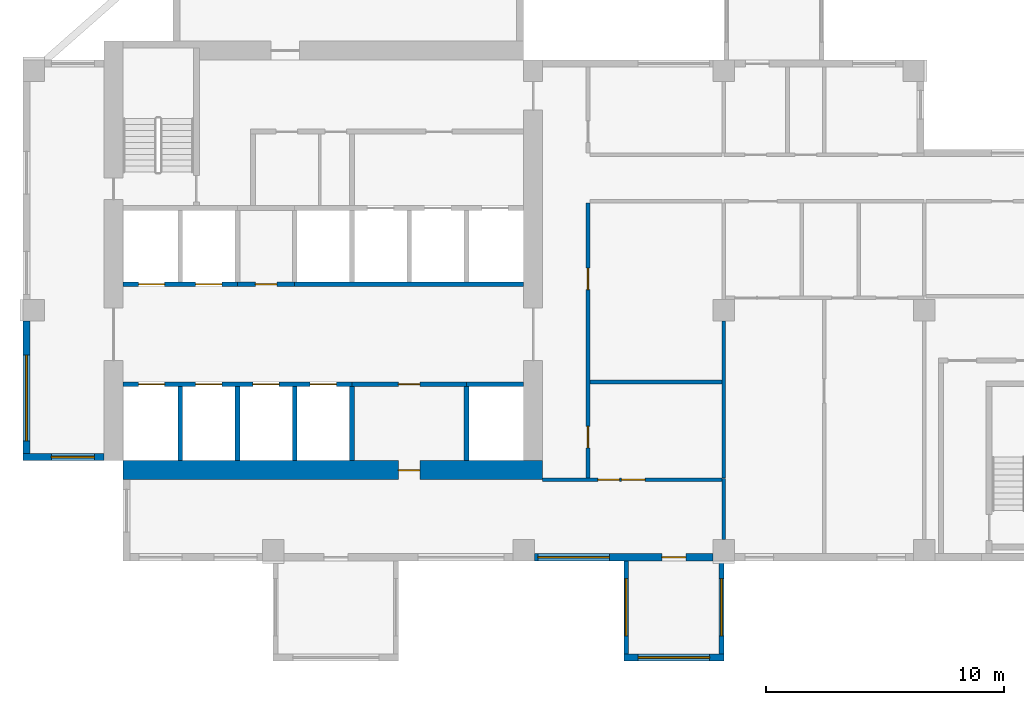
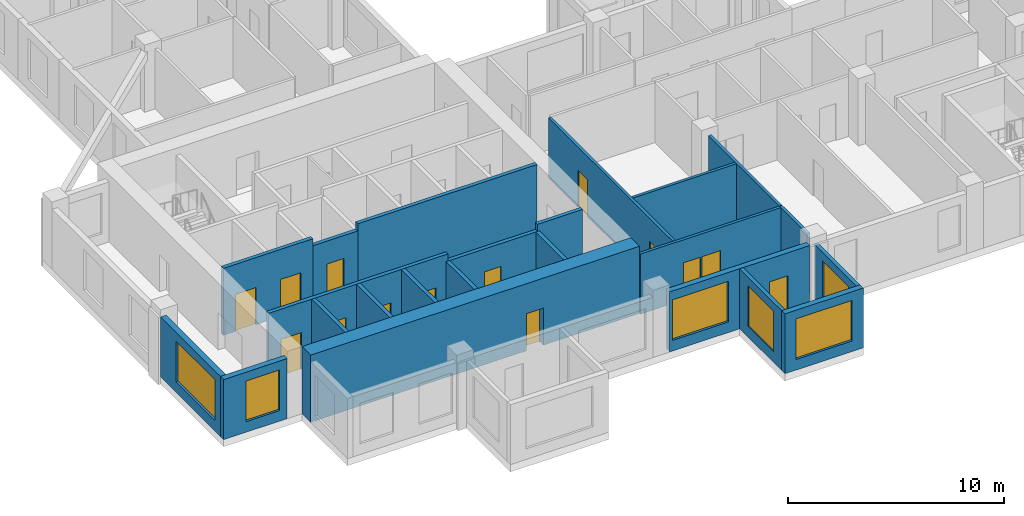
# One storey, part 2 of 12: 23 walls, 14 doors, 6 windows, 20 openings.
"""IFC4 building model written with IfcOpenShell, lengths in metres."""

from ifc_helpers import new_model, si_unit, direction, frame, frame_2d, origin, place, context, subcontext, project, spatial, rectangle, extrude, source, transform, mapped, material, layer, layer_set, type_object, element, fill, save


model = new_model("IFC4")

# Units and contexts
model_context = context("Model", 3, precision=1e-05, world=origin(), true_north=direction((0.0, 1.0)))
body_context = subcontext(model_context, "Body", "Model", "MODEL_VIEW")
ifc_project = project(units=[si_unit("LENGTHUNIT", "METRE"), si_unit("AREAUNIT", "SQUARE_METRE"), si_unit("VOLUMEUNIT", "CUBIC_METRE"), si_unit("PLANEANGLEUNIT", "RADIAN"), si_unit("MASSUNIT", "GRAM", prefix="KILO")], contexts=[model_context])

# Site, building, storey
site_placement = place(None, origin())
site = spatial("IfcSite", under=ifc_project, at=site_placement, CompositionType="ELEMENT")
building_placement = place(site_placement, origin())
building = spatial("IfcBuilding", under=site, at=building_placement, Name="Aurelian Terraces", CompositionType="ELEMENT")
storey_placement = place(building_placement, frame((0.0, 0.0, 181.6)))
storey = spatial("IfcBuildingStorey", under=building, at=storey_placement, Name="L39", CompositionType="ELEMENT", Elevation=181.6)

# Wall, openings, doors
ifc_material_1 = material(Name="Gypsum board on steel studs", Category="steel")
ifc_layer_1 = layer(ifc_material_1, 0.15)
ifc_layer_set_1 = layer_set([ifc_layer_1], Name="Partition 150")
wall_type_1 = type_object("IfcWallType", Name="Partition 150", PredefinedType="PARTITIONING", material=ifc_layer_set_1)
wall_1_placement = place(storey_placement, frame((23.7, 15.0, 0.0), z_axis=(0.0, 0.0, 1.0), x_axis=(0.0, -1.0, 0.0)))
wall_1 = element("IfcWall", 1, at=wall_1_placement, inside=storey, type_object=wall_type_1, Name="Partition", PredefinedType="PARTITIONING", context=body_context, shape_type="SweptSolid", body=[
    extrude(rectangle(XDim=11.525, YDim=0.15, at=frame_2d((5.7625, 0.0))), origin(), (0.0, 0.0, 1.0), 3.4),
])
shared_shape_1 = source(origin(), body_context, "Body", "SweptSolid", [
    extrude(rectangle(XDim=0.9, YDim=2.1, at=frame_2d((0.45, 1.05))), frame((0.0, 0.085, 0.0), z_axis=(0.0, -1.0, 0.0), x_axis=(1.0, 0.0, 0.0)), (0.0, 0.0, 1.0), 0.17),
])
opening_1_placement = place(wall_1_placement, frame((9.3625, 0.0, 0.0)))
opening_1 = element("IfcOpeningElement", 2, at=opening_1_placement, cuts=wall_1, Name="Opening 739001", PredefinedType="OPENING", context=body_context, shape_type="MappedRepresentation", body=[
    mapped(shared_shape_1, transform((0.0, 0.0, 0.0), scale=1.0)),
])
opening_2_placement = place(wall_1_placement, frame((2.725, 0.0, 0.0)))
opening_2 = element("IfcOpeningElement", 3, at=opening_2_placement, cuts=wall_1, Name="Opening 739002", PredefinedType="OPENING", context=body_context, shape_type="MappedRepresentation", body=[
    mapped(shared_shape_1, transform((0.0, 0.0, 0.0), scale=1.0)),
])
ifc_material_2 = material(Name="Timber door leaf", Category="wood")
door_type_1 = type_object("IfcDoorType", Name="Room door 900x2100 right", OperationType="SINGLE_SWING_RIGHT", PredefinedType="DOOR", material=ifc_material_2)
shared_shape_2 = source(origin(), body_context, "Body", "SweptSolid", [
    extrude(rectangle(XDim=0.9, YDim=2.1, at=frame_2d((0.45, 1.05))), frame((0.0, 0.025, 0.0), z_axis=(0.0, -1.0, 0.0), x_axis=(1.0, 0.0, 0.0)), (0.0, 0.0, 1.0), 0.05),
])
door_1_placement = place(opening_1_placement, origin())
door_1 = element("IfcDoor", 4, at=door_1_placement, inside=storey, type_object=door_type_1, Name="Door 739001", OperationType="SINGLE_SWING_RIGHT", OverallHeight=2.1, OverallWidth=0.9, PredefinedType="DOOR", context=body_context, shape_type="MappedRepresentation", body=[
    mapped(shared_shape_2, transform((0.0, 0.0, 0.0), scale=1.0)),
])
fill(opening_1, door_1)
door_type_2 = type_object("IfcDoorType", Name="Room door 900x2100 left", OperationType="SINGLE_SWING_LEFT", PredefinedType="DOOR", material=ifc_material_2)
door_2_placement = place(opening_2_placement, origin())
door_2 = element("IfcDoor", 5, at=door_2_placement, inside=storey, type_object=door_type_2, Name="Door 739002", OperationType="SINGLE_SWING_LEFT", OverallHeight=2.1, OverallWidth=0.9, PredefinedType="DOOR", context=body_context, shape_type="MappedRepresentation", body=[
    mapped(shared_shape_2, transform((0.0, 0.0, 0.0), scale=1.0)),
])
fill(opening_2, door_2)

wall_2_placement = place(storey_placement, frame((21.8, 3.4, 0.0), z_axis=(0.0, 0.0, 1.0), x_axis=(1.0, 0.0, 0.0)))
wall_2 = element("IfcWall", 6, at=wall_2_placement, inside=storey, type_object=wall_type_1, Name="Partition", PredefinedType="PARTITIONING", context=body_context, shape_type="SweptSolid", body=[
    extrude(rectangle(XDim=7.525, YDim=0.15, at=frame_2d((3.7625, 0.0))), origin(), (0.0, 0.0, 1.0), 3.4),
])
shared_shape_3 = source(origin(), body_context, "Body", "SweptSolid", [
    extrude(rectangle(XDim=1.0, YDim=2.1, at=frame_2d((0.5, 1.05))), frame((0.0, 0.085, 0.0), z_axis=(0.0, -1.0, 0.0), x_axis=(1.0, 0.0, 0.0)), (0.0, 0.0, 1.0), 0.17),
])
opening_3_placement = place(wall_2_placement, frame((3.3, 0.0, 0.0)))
opening_3 = element("IfcOpeningElement", 7, at=opening_3_placement, cuts=wall_2, Name="Opening 739004", PredefinedType="OPENING", context=body_context, shape_type="MappedRepresentation", body=[
    mapped(shared_shape_3, transform((0.0, 0.0, 0.0), scale=1.0)),
])
opening_4_placement = place(wall_2_placement, frame((2.312, 0.0, 0.0)))
opening_4 = element("IfcOpeningElement", 8, at=opening_4_placement, cuts=wall_2, Name="Opening 739042", PredefinedType="OPENING", context=body_context, shape_type="MappedRepresentation", body=[
    mapped(shared_shape_1, transform((0.0, 0.0, 0.0), scale=1.0)),
])
door_type_3 = type_object("IfcDoorType", Name="Room door 1000x2100 left", OperationType="SINGLE_SWING_LEFT", PredefinedType="DOOR", material=ifc_material_2)
shared_shape_4 = source(origin(), body_context, "Body", "SweptSolid", [
    extrude(rectangle(XDim=1.0, YDim=2.1, at=frame_2d((0.5, 1.05))), frame((0.0, 0.025, 0.0), z_axis=(0.0, -1.0, 0.0), x_axis=(1.0, 0.0, 0.0)), (0.0, 0.0, 1.0), 0.05),
])
door_3_placement = place(opening_3_placement, origin())
door_3 = element("IfcDoor", 9, at=door_3_placement, inside=storey, type_object=door_type_3, Name="Door 739004", OperationType="SINGLE_SWING_LEFT", OverallHeight=2.1, OverallWidth=1.0, PredefinedType="DOOR", context=body_context, shape_type="MappedRepresentation", body=[
    mapped(shared_shape_4, transform((0.0, 0.0, 0.0), scale=1.0)),
])
fill(opening_3, door_3)
door_4_placement = place(opening_4_placement, origin())
door_4 = element("IfcDoor", 10, at=door_4_placement, inside=storey, type_object=door_type_2, Name="Door 739042", OperationType="SINGLE_SWING_LEFT", OverallHeight=2.1, OverallWidth=0.9, PredefinedType="DOOR", context=body_context, shape_type="MappedRepresentation", body=[
    mapped(shared_shape_2, transform((0.0, 0.0, 0.0), scale=1.0)),
])
fill(opening_4, door_4)

# Wall, opening, door
ifc_material_3 = material(Name="Concrete fc' 70 MPa", Category="concrete")
ifc_layer_2 = layer(ifc_material_3, 0.8)
ifc_layer_set_2 = layer_set([ifc_layer_2], Name="CORE WALL 800 FC70")
wall_type_2 = type_object("IfcWallType", Name="CORE WALL 800 FC70", PredefinedType="SHEAR", material=ifc_layer_set_2)
shared_shape_5 = source(origin(), body_context, "Body", "SweptSolid", [
    extrude(rectangle(XDim=17.6, YDim=0.8, at=frame_2d((8.8, 0.0))), origin(), (0.0, 0.0, 1.0), 3.8),
])
wall_3_placement = place(storey_placement, frame((4.2, 3.8, 0.0), z_axis=(0.0, 0.0, 1.0), x_axis=(1.0, 0.0, 0.0)))
wall_3 = element("IfcWall", 11, at=wall_3_placement, inside=storey, type_object=wall_type_2, Name="Core wall S L39", PredefinedType="SHEAR", context=body_context, shape_type="MappedRepresentation", body=[
    mapped(shared_shape_5, transform((0.0, 0.0, 0.0), scale=1.0)),
])
shared_shape_6 = source(origin(), body_context, "Body", "SweptSolid", [
    extrude(rectangle(XDim=0.9, YDim=2.1, at=frame_2d((0.45, 1.05))), frame((0.0, 0.41, 0.0), z_axis=(0.0, -1.0, 0.0), x_axis=(1.0, 0.0, 0.0)), (0.0, 0.0, 1.0), 0.82),
])
opening_5_placement = place(wall_3_placement, frame((11.55, 0.0, 0.0)))
opening_5 = element("IfcOpeningElement", 12, at=opening_5_placement, cuts=wall_3, Name="Opening 64225", PredefinedType="OPENING", context=body_context, shape_type="MappedRepresentation", body=[
    mapped(shared_shape_6, transform((0.0, 0.0, 0.0), scale=1.0)),
])
ifc_material_4 = material(Name="Steel door leaf", Category="steel")
door_type_4 = type_object("IfcDoorType", Name="Core service door 900x2100", OperationType="SINGLE_SWING_LEFT", PredefinedType="DOOR", material=ifc_material_4)
door_5_placement = place(opening_5_placement, origin())
door_5 = element("IfcDoor", 13, at=door_5_placement, inside=storey, type_object=door_type_4, Name="Core door 64225", OperationType="SINGLE_SWING_LEFT", OverallHeight=2.1, OverallWidth=0.9, PredefinedType="DOOR", context=body_context, shape_type="MappedRepresentation", body=[
    mapped(shared_shape_2, transform((0.0, 0.0, 0.0), scale=1.0)),
])
fill(opening_5, door_5)

# Wall, openings, window, door
ifc_material_5 = material(Name="Terracotta rainscreen cladding", Category="masonry")
ifc_layer_3 = layer(ifc_material_5, 0.3)
ifc_layer_set_3 = layer_set([ifc_layer_3], Name="EW-300")
wall_type_3 = type_object("IfcWallType", Name="EW-300", PredefinedType="STANDARD", material=ifc_layer_set_3)
shared_shape_7 = source(origin(), body_context, "Body", "SweptSolid", [
    extrude(rectangle(XDim=7.5, YDim=0.3, at=frame_2d((3.75, 0.0))), origin(), (0.0, 0.0, 1.0), 3.4),
])
wall_4_placement = place(storey_placement, frame((21.45, 0.15, 0.0), z_axis=(0.0, 0.0, 1.0), x_axis=(1.0, 0.0, 0.0)))
wall_4 = element("IfcWall", 14, at=wall_4_placement, inside=storey, type_object=wall_type_3, Name="External wall L39 F01.3", PredefinedType="STANDARD", context=body_context, shape_type="MappedRepresentation", body=[
    mapped(shared_shape_7, transform((0.0, 0.0, 0.0), scale=1.0)),
])
shared_shape_8 = source(origin(), body_context, "Body", "SweptSolid", [
    extrude(rectangle(XDim=3.0, YDim=2.3, at=frame_2d((1.5, 1.15))), frame((0.0, 0.16, 0.0), z_axis=(0.0, -1.0, 0.0), x_axis=(1.0, 0.0, 0.0)), (0.0, 0.0, 1.0), 0.32),
])
opening_6_placement = place(wall_4_placement, frame((0.15, 0.0, 0.6)))
opening_6 = element("IfcOpeningElement", 15, at=opening_6_placement, cuts=wall_4, Name="Opening W3023", PredefinedType="OPENING", context=body_context, shape_type="MappedRepresentation", body=[
    mapped(shared_shape_8, transform((0.0, 0.0, 0.0), scale=1.0)),
])
shared_shape_9 = source(origin(), body_context, "Body", "SweptSolid", [
    extrude(rectangle(XDim=1.0, YDim=2.1, at=frame_2d((0.5, 1.05))), frame((0.0, 0.16, 0.0), z_axis=(0.0, -1.0, 0.0), x_axis=(1.0, 0.0, 0.0)), (0.0, 0.0, 1.0), 0.32),
])
opening_7_placement = place(wall_4_placement, frame((5.35, 0.0, 0.0)))
opening_7 = element("IfcOpeningElement", 16, at=opening_7_placement, cuts=wall_4, Name="Opening 839005", PredefinedType="OPENING", context=body_context, shape_type="MappedRepresentation", body=[
    mapped(shared_shape_9, transform((0.0, 0.0, 0.0), scale=1.0)),
])
ifc_material_6 = material(Name="Clear glazing", Category="glass")
window_type_1 = type_object("IfcWindowType", Name="W-3000x2300", PartitioningType="SINGLE_PANEL", PredefinedType="WINDOW", material=ifc_material_6)
shared_shape_10 = source(origin(), body_context, "Body", "SweptSolid", [
    extrude(rectangle(XDim=3.0, YDim=2.3, at=frame_2d((1.5, 1.15))), frame((0.0, 0.03, 0.0), z_axis=(0.0, -1.0, 0.0), x_axis=(1.0, 0.0, 0.0)), (0.0, 0.0, 1.0), 0.06),
])
window_1_placement = place(opening_6_placement, origin())
window_1 = element("IfcWindow", 17, at=window_1_placement, inside=storey, type_object=window_type_1, Name="Window L39 L39-F01-03-0", OverallHeight=2.3, OverallWidth=3.0, PartitioningType="SINGLE_PANEL", PredefinedType="WINDOW", context=body_context, shape_type="MappedRepresentation", body=[
    mapped(shared_shape_10, transform((0.0, 0.0, 0.0), scale=1.0)),
])
fill(opening_6, window_1)
door_6_placement = place(opening_7_placement, origin())
door_6 = element("IfcDoor", 18, at=door_6_placement, inside=storey, type_object=door_type_3, Name="Door 839005", OperationType="SINGLE_SWING_LEFT", OverallHeight=2.1, OverallWidth=1.0, PredefinedType="DOOR", context=body_context, shape_type="MappedRepresentation", body=[
    mapped(shared_shape_4, transform((0.0, 0.0, 0.0), scale=1.0)),
])
fill(opening_7, door_6)

# Wall, opening, window
shared_shape_11 = source(origin(), body_context, "Body", "SweptSolid", [
    extrude(rectangle(XDim=3.4, YDim=0.3, at=frame_2d((1.7, 0.0))), origin(), (0.0, 0.0, 1.0), 3.4),
])
wall_5_placement = place(storey_placement, frame((0.0, 4.35, 0.0), z_axis=(0.0, 0.0, 1.0), x_axis=(1.0, 0.0, 0.0)))
wall_5 = element("IfcWall", 19, at=wall_5_placement, inside=storey, type_object=wall_type_3, Name="External wall L39 F21.35", PredefinedType="STANDARD", context=body_context, shape_type="MappedRepresentation", body=[
    mapped(shared_shape_11, transform((0.0, 0.0, 0.0), scale=1.0)),
])
shared_shape_12 = source(origin(), body_context, "Body", "SweptSolid", [
    extrude(rectangle(XDim=1.8, YDim=2.3, at=frame_2d((0.9, 1.15))), frame((0.0, 0.16, 0.0), z_axis=(0.0, -1.0, 0.0), x_axis=(1.0, 0.0, 0.0)), (0.0, 0.0, 1.0), 0.32),
])
opening_8_placement = place(wall_5_placement, frame((1.2, 0.0, 0.6)))
opening_8 = element("IfcOpeningElement", 20, at=opening_8_placement, cuts=wall_5, Name="Opening W1823", PredefinedType="OPENING", context=body_context, shape_type="MappedRepresentation", body=[
    mapped(shared_shape_12, transform((0.0, 0.0, 0.0), scale=1.0)),
])
window_type_2 = type_object("IfcWindowType", Name="W-1800x2300", PartitioningType="SINGLE_PANEL", PredefinedType="WINDOW", material=ifc_material_6)
shared_shape_13 = source(origin(), body_context, "Body", "SweptSolid", [
    extrude(rectangle(XDim=1.8, YDim=2.3, at=frame_2d((0.9, 1.15))), frame((0.0, 0.03, 0.0), z_axis=(0.0, -1.0, 0.0), x_axis=(1.0, 0.0, 0.0)), (0.0, 0.0, 1.0), 0.06),
])
window_2_placement = place(opening_8_placement, origin())
window_2 = element("IfcWindow", 21, at=window_2_placement, inside=storey, type_object=window_type_2, Name="Window L39 L39-F21-35-0", OverallHeight=2.3, OverallWidth=1.8, PartitioningType="SINGLE_PANEL", PredefinedType="WINDOW", context=body_context, shape_type="MappedRepresentation", body=[
    mapped(shared_shape_13, transform((0.0, 0.0, 0.0), scale=1.0)),
])
fill(opening_8, window_2)

ifc_material_7 = material(Name="Concrete fc' 40 MPa", Category="concrete")
ifc_layer_4 = layer(ifc_material_7, 0.2)
ifc_layer_set_4 = layer_set([ifc_layer_4], Name="BOX BEARING WALL 200")
wall_type_4 = type_object("IfcWallType", Name="BOX BEARING WALL 200", PredefinedType="SOLIDWALL", material=ifc_layer_set_4)
shared_shape_14 = source(origin(), body_context, "Body", "SweptSolid", [
    extrude(rectangle(XDim=3.9, YDim=0.2, at=frame_2d((1.95, 0.0))), origin(), (0.0, 0.0, 1.0), 3.39),
])
wall_6_placement = place(storey_placement, frame((25.3, 0.0, 0.0), z_axis=(0.0, 0.0, 1.0), x_axis=(0.0, -1.0, 0.0)))
wall_6 = element("IfcWall", 22, at=wall_6_placement, inside=storey, type_object=wall_type_4, Name="Box return L39 J55.1", PredefinedType="SOLIDWALL", context=body_context, shape_type="MappedRepresentation", body=[
    mapped(shared_shape_14, transform((0.0, 0.0, 0.0), scale=1.0)),
])
shared_shape_15 = source(origin(), body_context, "Body", "SweptSolid", [
    extrude(rectangle(XDim=2.4, YDim=2.3, at=frame_2d((1.2, 1.15))), frame((0.0, 0.11, 0.0), z_axis=(0.0, -1.0, 0.0), x_axis=(1.0, 0.0, 0.0)), (0.0, 0.0, 1.0), 0.22),
])
opening_9_placement = place(wall_6_placement, frame((0.75, 0.0, 0.6)))
opening_9 = element("IfcOpeningElement", 23, at=opening_9_placement, cuts=wall_6, Name="Opening W2423", PredefinedType="OPENING", context=body_context, shape_type="MappedRepresentation", body=[
    mapped(shared_shape_15, transform((0.0, 0.0, 0.0), scale=1.0)),
])
window_type_3 = type_object("IfcWindowType", Name="W-2400x2300", PartitioningType="SINGLE_PANEL", PredefinedType="WINDOW", material=ifc_material_6)
shared_shape_16 = source(origin(), body_context, "Body", "SweptSolid", [
    extrude(rectangle(XDim=2.4, YDim=2.3, at=frame_2d((1.2, 1.15))), frame((0.0, 0.03, 0.0), z_axis=(0.0, -1.0, 0.0), x_axis=(1.0, 0.0, 0.0)), (0.0, 0.0, 1.0), 0.06),
])
window_3_placement = place(opening_9_placement, origin())
window_3 = element("IfcWindow", 24, at=window_3_placement, inside=storey, type_object=window_type_3, Name="Window L39 J55-S1", OverallHeight=2.3, OverallWidth=2.4, PartitioningType="SINGLE_PANEL", PredefinedType="WINDOW", context=body_context, shape_type="MappedRepresentation", body=[
    mapped(shared_shape_16, transform((0.0, 0.0, 0.0), scale=1.0)),
])
fill(opening_9, window_3)

wall_7_placement = place(storey_placement, frame((29.3, 0.0, 0.0), z_axis=(0.0, 0.0, 1.0), x_axis=(0.0, -1.0, 0.0)))
wall_7 = element("IfcWall", 25, at=wall_7_placement, inside=storey, type_object=wall_type_4, Name="Box return L39 J55.2", PredefinedType="SOLIDWALL", context=body_context, shape_type="MappedRepresentation", body=[
    mapped(shared_shape_14, transform((0.0, 0.0, 0.0), scale=1.0)),
])
opening_10_placement = place(wall_7_placement, frame((0.75, 0.0, 0.6)))
opening_10 = element("IfcOpeningElement", 26, at=opening_10_placement, cuts=wall_7, Name="Opening W2423", PredefinedType="OPENING", context=body_context, shape_type="MappedRepresentation", body=[
    mapped(shared_shape_15, transform((0.0, 0.0, 0.0), scale=1.0)),
])
window_4_placement = place(opening_10_placement, origin())
window_4 = element("IfcWindow", 27, at=window_4_placement, inside=storey, type_object=window_type_3, Name="Window L39 J55-S2", OverallHeight=2.3, OverallWidth=2.4, PartitioningType="SINGLE_PANEL", PredefinedType="WINDOW", context=body_context, shape_type="MappedRepresentation", body=[
    mapped(shared_shape_16, transform((0.0, 0.0, 0.0), scale=1.0)),
])
fill(opening_10, window_4)

ifc_layer_5 = layer(ifc_material_7, 0.3)
ifc_layer_set_5 = layer_set([ifc_layer_5], Name="BOX BEARING WALL 300")
wall_type_5 = type_object("IfcWallType", Name="BOX BEARING WALL 300", PredefinedType="SOLIDWALL", material=ifc_layer_set_5)
shared_shape_17 = source(origin(), body_context, "Body", "SweptSolid", [
    extrude(rectangle(XDim=4.2, YDim=0.3, at=frame_2d((2.1, 0.0))), origin(), (0.0, 0.0, 1.0), 3.39),
])
wall_8_placement = place(storey_placement, frame((25.2, -4.05, 0.0), z_axis=(0.0, 0.0, 1.0), x_axis=(1.0, 0.0, 0.0)))
wall_8 = element("IfcWall", 28, at=wall_8_placement, inside=storey, type_object=wall_type_5, Name="Box wall L39 J55", PredefinedType="SOLIDWALL", context=body_context, shape_type="MappedRepresentation", body=[
    mapped(shared_shape_17, transform((0.0, 0.0, 0.0), scale=1.0)),
])
opening_11_placement = place(wall_8_placement, frame((0.6, 0.0, 0.6)))
opening_11 = element("IfcOpeningElement", 29, at=opening_11_placement, cuts=wall_8, Name="Opening W3023", PredefinedType="OPENING", context=body_context, shape_type="MappedRepresentation", body=[
    mapped(shared_shape_8, transform((0.0, 0.0, 0.0), scale=1.0)),
])
window_5_placement = place(opening_11_placement, origin())
window_5 = element("IfcWindow", 30, at=window_5_placement, inside=storey, type_object=window_type_1, Name="Window L39 J55-F1", OverallHeight=2.3, OverallWidth=3.0, PartitioningType="SINGLE_PANEL", PredefinedType="WINDOW", context=body_context, shape_type="MappedRepresentation", body=[
    mapped(shared_shape_10, transform((0.0, 0.0, 0.0), scale=1.0)),
])
fill(opening_11, window_5)

shared_shape_18 = source(origin(), body_context, "Body", "SweptSolid", [
    extrude(rectangle(XDim=5.85, YDim=0.3, at=frame_2d((2.925, 0.0))), origin(), (0.0, 0.0, 1.0), 3.4),
])
wall_9_placement = place(storey_placement, frame((0.15, 10.05, 0.0), z_axis=(0.0, 0.0, 1.0), x_axis=(0.0, -1.0, 0.0)))
wall_9 = element("IfcWall", 31, at=wall_9_placement, inside=storey, type_object=wall_type_3, Name="External wall L39 F20.34", PredefinedType="STANDARD", context=body_context, shape_type="MappedRepresentation", body=[
    mapped(shared_shape_18, transform((0.0, 0.0, 0.0), scale=1.0)),
])
shared_shape_19 = source(origin(), body_context, "Body", "SweptSolid", [
    extrude(rectangle(XDim=3.6, YDim=2.3, at=frame_2d((1.8, 1.15))), frame((0.0, 0.16, 0.0), z_axis=(0.0, -1.0, 0.0), x_axis=(1.0, 0.0, 0.0)), (0.0, 0.0, 1.0), 0.32),
])
opening_12_placement = place(wall_9_placement, frame((1.425, 0.0, 0.6)))
opening_12 = element("IfcOpeningElement", 32, at=opening_12_placement, cuts=wall_9, Name="Opening W3623", PredefinedType="OPENING", context=body_context, shape_type="MappedRepresentation", body=[
    mapped(shared_shape_19, transform((0.0, 0.0, 0.0), scale=1.0)),
])
window_type_4 = type_object("IfcWindowType", Name="W-3600x2300", PartitioningType="SINGLE_PANEL", PredefinedType="WINDOW", material=ifc_material_6)
shared_shape_20 = source(origin(), body_context, "Body", "SweptSolid", [
    extrude(rectangle(XDim=3.6, YDim=2.3, at=frame_2d((1.8, 1.15))), frame((0.0, 0.03, 0.0), z_axis=(0.0, -1.0, 0.0), x_axis=(1.0, 0.0, 0.0)), (0.0, 0.0, 1.0), 0.06),
])
window_6_placement = place(opening_12_placement, origin())
window_6 = element("IfcWindow", 33, at=window_6_placement, inside=storey, type_object=window_type_4, Name="Window L39 L39-F20-34-3", OverallHeight=2.3, OverallWidth=3.6, PartitioningType="SINGLE_PANEL", PredefinedType="WINDOW", context=body_context, shape_type="MappedRepresentation", body=[
    mapped(shared_shape_20, transform((0.0, 0.0, 0.0), scale=1.0)),
])
fill(opening_12, window_6)

# Walls
ifc_layer_6 = layer(ifc_material_7, 0.2)
ifc_layer_set_6 = layer_set([ifc_layer_6], Name="Lift shaft wall 200")
wall_type_6 = type_object("IfcWallType", Name="Lift shaft wall 200", PredefinedType="SOLIDWALL", material=ifc_layer_set_6)
shared_shape_21 = source(origin(), body_context, "Body", "SweptSolid", [
    extrude(rectangle(XDim=3.1, YDim=0.2, at=frame_2d((1.55, 0.0))), origin(), (0.0, 0.0, 1.0), 3.8),
])
for number, where, z_axis, x_axis, name in (
    (34, (6.6, 4.2, 0.0), (0.0, 0.0, 1.0), (0.0, 1.0, 0.0), "L39 core wall CD-A1"),
    (35, (9.0, 4.2, 0.0), (0.0, 0.0, 1.0), (0.0, 1.0, 0.0), "L39 core wall CD-A2"),
    (36, (11.4, 4.2, 0.0), (0.0, 0.0, 1.0), (0.0, 1.0, 0.0), "L39 core wall CD-A3"),
):
    element("IfcWall", number, at=place(storey_placement, frame(where, z_axis=z_axis, x_axis=x_axis)), inside=storey, type_object=wall_type_6, Name=name, PredefinedType="SOLIDWALL", context=body_context, shape_type="MappedRepresentation", body=[
        mapped(shared_shape_21, transform((0.0, 0.0, 0.0), scale=1.0)),
    ])
shared_shape_22 = source(origin(), body_context, "Body", "SweptSolid", [
    extrude(rectangle(XDim=3.1, YDim=0.2, at=frame_2d((1.55, 0.0))), origin(), (0.0, 0.0, 1.0), 3.4),
])
for number, where, z_axis, x_axis, name in (
    (37, (13.8, 4.2, 0.0), (0.0, 0.0, 1.0), (0.0, 1.0, 0.0), "L39 core wall CD-A4"),
    (38, (18.6, 4.2, 0.0), (0.0, 0.0, 1.0), (0.0, 1.0, 0.0), "L39 core wall CD-A6"),
):
    element("IfcWall", number, at=place(storey_placement, frame(where, z_axis=z_axis, x_axis=x_axis)), inside=storey, type_object=wall_type_6, Name=name, PredefinedType="SOLIDWALL", context=body_context, shape_type="MappedRepresentation", body=[
        mapped(shared_shape_22, transform((0.0, 0.0, 0.0), scale=1.0)),
    ])

# Wall, openings, doors
shared_shape_23 = source(origin(), body_context, "Body", "SweptSolid", [
    extrude(rectangle(XDim=9.6, YDim=0.2, at=frame_2d((4.8, 0.0))), origin(), (0.0, 0.0, 1.0), 3.8),
])
wall_10_placement = place(storey_placement, frame((4.2, 7.4, 0.0), z_axis=(0.0, 0.0, 1.0), x_axis=(1.0, 0.0, 0.0)))
wall_10 = element("IfcWall", 39, at=wall_10_placement, inside=storey, type_object=wall_type_6, Name="L39 core wall CF-AF1", PredefinedType="SOLIDWALL", context=body_context, shape_type="MappedRepresentation", body=[
    mapped(shared_shape_23, transform((0.0, 0.0, 0.0), scale=1.0)),
])
shared_shape_24 = source(origin(), body_context, "Body", "SweptSolid", [
    extrude(rectangle(XDim=1.1, YDim=2.1, at=frame_2d((0.55, 1.05))), frame((0.0, 0.11, 0.0), z_axis=(0.0, -1.0, 0.0), x_axis=(1.0, 0.0, 0.0)), (0.0, 0.0, 1.0), 0.22),
])
opening_13_placement = place(wall_10_placement, frame((0.65, 0.0, 0.0)))
opening_13 = element("IfcOpeningElement", 40, at=opening_13_placement, cuts=wall_10, Name="Opening 64200", PredefinedType="OPENING", context=body_context, shape_type="MappedRepresentation", body=[
    mapped(shared_shape_24, transform((0.0, 0.0, 0.0), scale=1.0)),
])
opening_14_placement = place(wall_10_placement, frame((3.05, 0.0, 0.0)))
opening_14 = element("IfcOpeningElement", 41, at=opening_14_placement, cuts=wall_10, Name="Opening 64201", PredefinedType="OPENING", context=body_context, shape_type="MappedRepresentation", body=[
    mapped(shared_shape_24, transform((0.0, 0.0, 0.0), scale=1.0)),
])
opening_15_placement = place(wall_10_placement, frame((5.45, 0.0, 0.0)))
opening_15 = element("IfcOpeningElement", 42, at=opening_15_placement, cuts=wall_10, Name="Opening 64202", PredefinedType="OPENING", context=body_context, shape_type="MappedRepresentation", body=[
    mapped(shared_shape_24, transform((0.0, 0.0, 0.0), scale=1.0)),
])
opening_16_placement = place(wall_10_placement, frame((7.85, 0.0, 0.0)))
opening_16 = element("IfcOpeningElement", 43, at=opening_16_placement, cuts=wall_10, Name="Opening 64203", PredefinedType="OPENING", context=body_context, shape_type="MappedRepresentation", body=[
    mapped(shared_shape_24, transform((0.0, 0.0, 0.0), scale=1.0)),
])
ifc_material_8 = material(Name="Stainless steel", Category="steel")
door_type_5 = type_object("IfcDoorType", Name="Lift landing door 1100x2100", OperationType="SLIDING_TO_LEFT", PredefinedType="DOOR", material=ifc_material_8)
shared_shape_25 = source(origin(), body_context, "Body", "SweptSolid", [
    extrude(rectangle(XDim=1.1, YDim=2.1, at=frame_2d((0.55, 1.05))), frame((0.0, 0.025, 0.0), z_axis=(0.0, -1.0, 0.0), x_axis=(1.0, 0.0, 0.0)), (0.0, 0.0, 1.0), 0.05),
])
door_7_placement = place(opening_13_placement, origin())
door_7 = element("IfcDoor", 44, at=door_7_placement, inside=storey, type_object=door_type_5, Name="Lift landing door LM1 L39", OperationType="SLIDING_TO_LEFT", OverallHeight=2.1, OverallWidth=1.1, PredefinedType="DOOR", context=body_context, shape_type="MappedRepresentation", body=[
    mapped(shared_shape_25, transform((0.0, 0.0, 0.0), scale=1.0)),
])
fill(opening_13, door_7)
door_8_placement = place(opening_14_placement, origin())
door_8 = element("IfcDoor", 45, at=door_8_placement, inside=storey, type_object=door_type_5, Name="Lift landing door LM2 L39", OperationType="SLIDING_TO_LEFT", OverallHeight=2.1, OverallWidth=1.1, PredefinedType="DOOR", context=body_context, shape_type="MappedRepresentation", body=[
    mapped(shared_shape_25, transform((0.0, 0.0, 0.0), scale=1.0)),
])
fill(opening_14, door_8)
door_9_placement = place(opening_15_placement, origin())
door_9 = element("IfcDoor", 46, at=door_9_placement, inside=storey, type_object=door_type_5, Name="Lift landing door LM3 L39", OperationType="SLIDING_TO_LEFT", OverallHeight=2.1, OverallWidth=1.1, PredefinedType="DOOR", context=body_context, shape_type="MappedRepresentation", body=[
    mapped(shared_shape_25, transform((0.0, 0.0, 0.0), scale=1.0)),
])
fill(opening_15, door_9)
door_10_placement = place(opening_16_placement, origin())
door_10 = element("IfcDoor", 47, at=door_10_placement, inside=storey, type_object=door_type_5, Name="Lift landing door LM4 L39", OperationType="SLIDING_TO_LEFT", OverallHeight=2.1, OverallWidth=1.1, PredefinedType="DOOR", context=body_context, shape_type="MappedRepresentation", body=[
    mapped(shared_shape_25, transform((0.0, 0.0, 0.0), scale=1.0)),
])
fill(opening_16, door_10)

# Wall
wall_11_placement = place(storey_placement, frame((11.4, 11.6, 0.0), z_axis=(0.0, 0.0, 1.0), x_axis=(1.0, 0.0, 0.0)))
element("IfcWall", 48, at=wall_11_placement, inside=storey, type_object=wall_type_6, Name="L39 core wall CF-BF3", PredefinedType="SOLIDWALL", context=body_context, shape_type="MappedRepresentation", body=[
    mapped(shared_shape_23, transform((0.0, 0.0, 0.0), scale=1.0)),
])

# Wall, openings, doors
shared_shape_26 = source(origin(), body_context, "Body", "SweptSolid", [
    extrude(rectangle(XDim=4.8, YDim=0.2, at=frame_2d((2.4, 0.0))), origin(), (0.0, 0.0, 1.0), 3.8),
])
wall_12_placement = place(storey_placement, frame((4.2, 11.6, 0.0), z_axis=(0.0, 0.0, 1.0), x_axis=(1.0, 0.0, 0.0)))
wall_12 = element("IfcWall", 49, at=wall_12_placement, inside=storey, type_object=wall_type_6, Name="L39 core wall CF-BF1", PredefinedType="SOLIDWALL", context=body_context, shape_type="MappedRepresentation", body=[
    mapped(shared_shape_26, transform((0.0, 0.0, 0.0), scale=1.0)),
])
opening_17_placement = place(wall_12_placement, frame((0.65, 0.0, 0.0)))
opening_17 = element("IfcOpeningElement", 50, at=opening_17_placement, cuts=wall_12, Name="Opening 64205", PredefinedType="OPENING", context=body_context, shape_type="MappedRepresentation", body=[
    mapped(shared_shape_24, transform((0.0, 0.0, 0.0), scale=1.0)),
])
opening_18_placement = place(wall_12_placement, frame((3.05, 0.0, 0.0)))
opening_18 = element("IfcOpeningElement", 51, at=opening_18_placement, cuts=wall_12, Name="Opening 64206", PredefinedType="OPENING", context=body_context, shape_type="MappedRepresentation", body=[
    mapped(shared_shape_24, transform((0.0, 0.0, 0.0), scale=1.0)),
])
door_11_placement = place(opening_17_placement, origin())
door_11 = element("IfcDoor", 52, at=door_11_placement, inside=storey, type_object=door_type_5, Name="Lift landing door LM5 L39", OperationType="SLIDING_TO_LEFT", OverallHeight=2.1, OverallWidth=1.1, PredefinedType="DOOR", context=body_context, shape_type="MappedRepresentation", body=[
    mapped(shared_shape_25, transform((0.0, 0.0, 0.0), scale=1.0)),
])
fill(opening_17, door_11)
door_12_placement = place(opening_18_placement, origin())
door_12 = element("IfcDoor", 53, at=door_12_placement, inside=storey, type_object=door_type_5, Name="Lift landing door LM6 L39", OperationType="SLIDING_TO_LEFT", OverallHeight=2.1, OverallWidth=1.1, PredefinedType="DOOR", context=body_context, shape_type="MappedRepresentation", body=[
    mapped(shared_shape_25, transform((0.0, 0.0, 0.0), scale=1.0)),
])
fill(opening_18, door_12)

# Wall, opening, door
shared_shape_27 = source(origin(), body_context, "Body", "SweptSolid", [
    extrude(rectangle(XDim=2.4, YDim=0.2, at=frame_2d((1.2, 0.0))), origin(), (0.0, 0.0, 1.0), 3.4),
])
wall_13_placement = place(storey_placement, frame((9.0, 11.6, 0.0), z_axis=(0.0, 0.0, 1.0), x_axis=(1.0, 0.0, 0.0)))
wall_13 = element("IfcWall", 54, at=wall_13_placement, inside=storey, type_object=wall_type_6, Name="L39 core wall CF-BF2", PredefinedType="SOLIDWALL", context=body_context, shape_type="MappedRepresentation", body=[
    mapped(shared_shape_27, transform((0.0, 0.0, 0.0), scale=1.0)),
])
shared_shape_28 = source(origin(), body_context, "Body", "SweptSolid", [
    extrude(rectangle(XDim=0.9, YDim=2.1, at=frame_2d((0.45, 1.05))), frame((0.0, 0.11, 0.0), z_axis=(0.0, -1.0, 0.0), x_axis=(1.0, 0.0, 0.0)), (0.0, 0.0, 1.0), 0.22),
])
opening_19_placement = place(wall_13_placement, frame((0.75, 0.0, 0.0)))
opening_19 = element("IfcOpeningElement", 55, at=opening_19_placement, cuts=wall_13, Name="Opening 64207", PredefinedType="OPENING", context=body_context, shape_type="MappedRepresentation", body=[
    mapped(shared_shape_28, transform((0.0, 0.0, 0.0), scale=1.0)),
])
door_type_6 = type_object("IfcDoorType", Name="Core service door 900x2100 right", OperationType="SINGLE_SWING_RIGHT", PredefinedType="DOOR", material=ifc_material_4)
door_13_placement = place(opening_19_placement, origin())
door_13 = element("IfcDoor", 56, at=door_13_placement, inside=storey, type_object=door_type_6, Name="Room door 64207", OperationType="SINGLE_SWING_RIGHT", OverallHeight=2.1, OverallWidth=0.9, PredefinedType="DOOR", context=body_context, shape_type="MappedRepresentation", body=[
    mapped(shared_shape_2, transform((0.0, 0.0, 0.0), scale=1.0)),
])
fill(opening_19, door_13)

shared_shape_29 = source(origin(), body_context, "Body", "SweptSolid", [
    extrude(rectangle(XDim=4.8, YDim=0.2, at=frame_2d((2.4, 0.0))), origin(), (0.0, 0.0, 1.0), 3.4),
])
wall_14_placement = place(storey_placement, frame((13.8, 7.4, 0.0), z_axis=(0.0, 0.0, 1.0), x_axis=(1.0, 0.0, 0.0)))
wall_14 = element("IfcWall", 57, at=wall_14_placement, inside=storey, type_object=wall_type_6, Name="L39 core wall CF-AF2", PredefinedType="SOLIDWALL", context=body_context, shape_type="MappedRepresentation", body=[
    mapped(shared_shape_29, transform((0.0, 0.0, 0.0), scale=1.0)),
])
opening_20_placement = place(wall_14_placement, frame((1.95, 0.0, 0.0)))
opening_20 = element("IfcOpeningElement", 58, at=opening_20_placement, cuts=wall_14, Name="Opening 64204", PredefinedType="OPENING", context=body_context, shape_type="MappedRepresentation", body=[
    mapped(shared_shape_28, transform((0.0, 0.0, 0.0), scale=1.0)),
])
door_14_placement = place(opening_20_placement, origin())
door_14 = element("IfcDoor", 59, at=door_14_placement, inside=storey, type_object=door_type_4, Name="Room door 64204", OperationType="SINGLE_SWING_LEFT", OverallHeight=2.1, OverallWidth=0.9, PredefinedType="DOOR", context=body_context, shape_type="MappedRepresentation", body=[
    mapped(shared_shape_2, transform((0.0, 0.0, 0.0), scale=1.0)),
])
fill(opening_20, door_14)

# Walls
shared_shape_30 = source(origin(), body_context, "Body", "SweptSolid", [
    extrude(rectangle(XDim=2.4, YDim=0.2, at=frame_2d((1.2, 0.0))), origin(), (0.0, 0.0, 1.0), 3.8),
])
wall_15_placement = place(storey_placement, frame((18.6, 7.4, 0.0), z_axis=(0.0, 0.0, 1.0), x_axis=(1.0, 0.0, 0.0)))
element("IfcWall", 60, at=wall_15_placement, inside=storey, type_object=wall_type_6, Name="L39 core wall CF-AF3", PredefinedType="SOLIDWALL", context=body_context, shape_type="MappedRepresentation", body=[
    mapped(shared_shape_30, transform((0.0, 0.0, 0.0), scale=1.0)),
])
shared_shape_31 = source(origin(), body_context, "Body", "SweptSolid", [
    extrude(rectangle(XDim=5.55, YDim=0.15, at=frame_2d((2.775, 0.0))), origin(), (0.0, 0.0, 1.0), 3.4),
])
wall_16_placement = place(storey_placement, frame((29.325, 7.5, 0.0), z_axis=(0.0, 0.0, 1.0), x_axis=(-1.0, 0.0, 0.0)))
element("IfcWall", 61, at=wall_16_placement, inside=storey, type_object=wall_type_1, Name="Partition", PredefinedType="PARTITIONING", context=body_context, shape_type="MappedRepresentation", body=[
    mapped(shared_shape_31, transform((0.0, 0.0, 0.0), scale=1.0)),
])
shared_shape_32 = source(origin(), body_context, "Body", "SweptSolid", [
    extrude(rectangle(XDim=6.576, YDim=0.15, at=frame_2d((3.288, 0.0))), origin(), (0.0, 0.0, 1.0), 3.4),
])
wall_17_placement = place(storey_placement, frame((29.4, 3.475, 0.0), z_axis=(0.0, 0.0, 1.0), x_axis=(0.0, 1.0, 0.0)))
element("IfcWall", 62, at=wall_17_placement, inside=storey, type_object=wall_type_1, Name="Partition", PredefinedType="PARTITIONING", context=body_context, shape_type="MappedRepresentation", body=[
    mapped(shared_shape_32, transform((0.0, 0.0, 0.0), scale=1.0)),
])
ifc_layer_7 = layer(ifc_material_1, 0.15)
ifc_layer_set_7 = layer_set([ifc_layer_7], Name="Fire partition 150")
wall_type_7 = type_object("IfcWallType", Name="Fire partition 150", PredefinedType="PARTITIONING", material=ifc_layer_set_7)
shared_shape_33 = source(origin(), body_context, "Body", "SweptSolid", [
    extrude(rectangle(XDim=2.556, YDim=0.15, at=frame_2d((1.278, 0.0))), origin(), (0.0, 0.0, 1.0), 3.4),
])
wall_18_placement = place(storey_placement, frame((29.4, 0.899, 0.0), z_axis=(0.0, 0.0, 1.0), x_axis=(0.0, 1.0, 0.0)))
element("IfcWall", 63, at=wall_18_placement, inside=storey, type_object=wall_type_7, Name="Party wall", PredefinedType="PARTITIONING", context=body_context, shape_type="MappedRepresentation", body=[
    mapped(shared_shape_33, transform((0.0, 0.0, 0.0), scale=1.0)),
])

save(model, "model.ifc")
